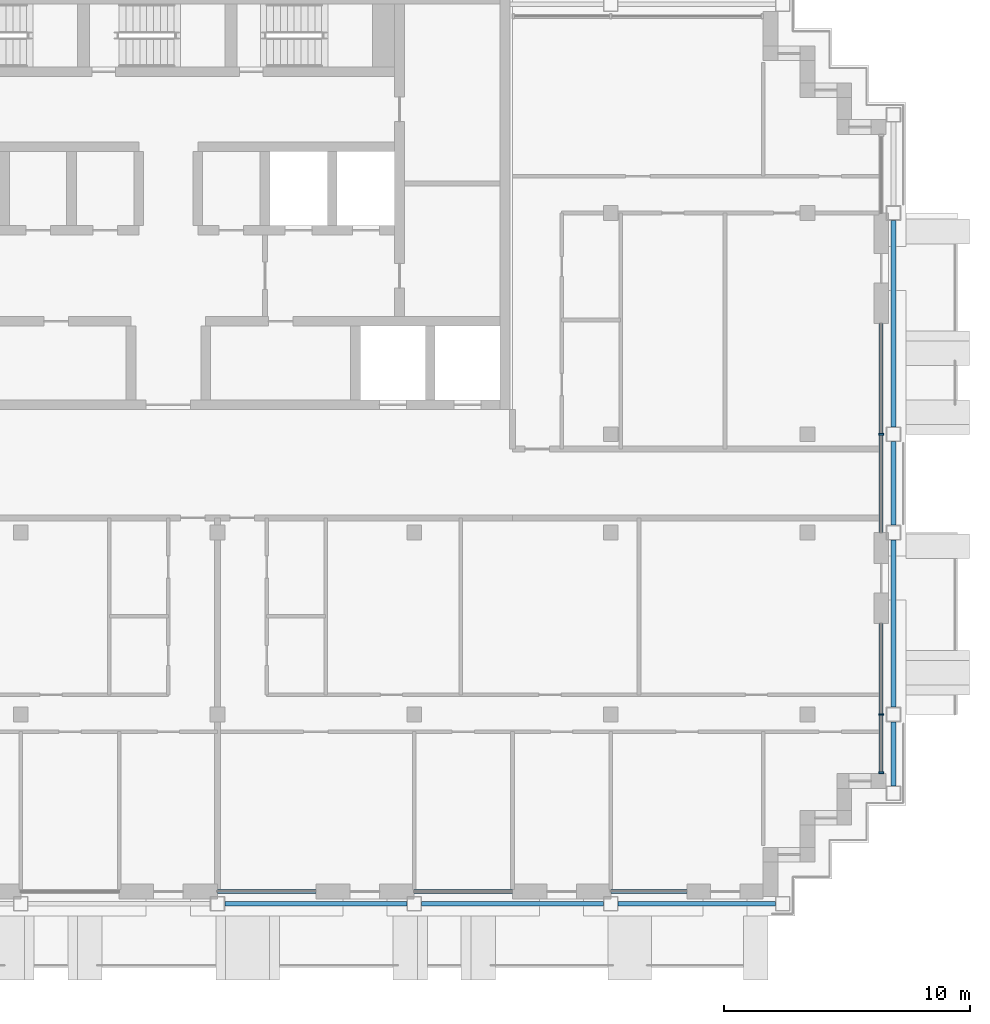
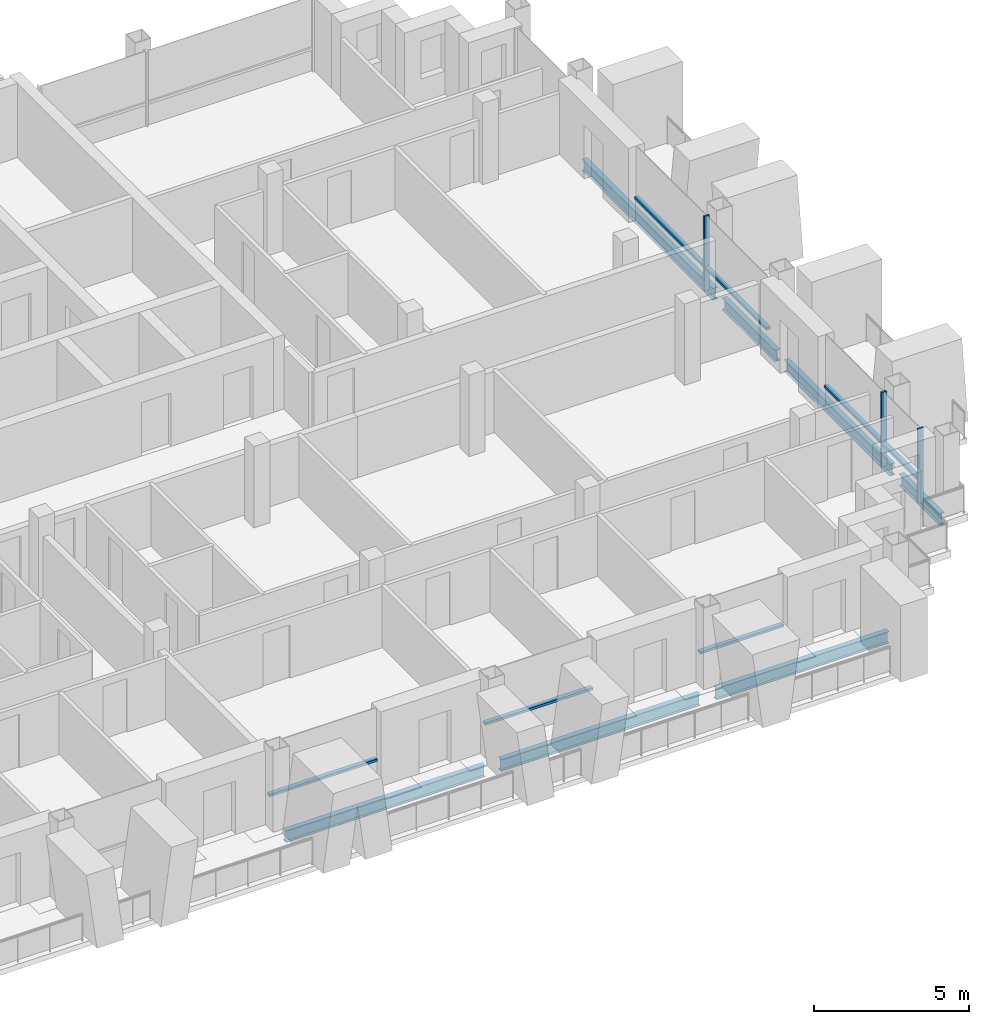
# One storey, part 3 of 15: 10 members, 7 beams, 5 elements without a shape of their own.
"""IFC4 building model written with IfcOpenShell, lengths in metres."""

from ifc_helpers import new_model, si_unit, direction, frame, origin, origin_2d, place, context, subcontext, project, spatial, rectangle, i_section, extrude, material, material_profile, profile_set, type_object, element, aggregate, save


model = new_model("IFC4")

# Units and contexts
model_context = context("Model", 3, precision=1e-05, world=origin(), true_north=direction((0.0, 1.0)))
body_context = subcontext(model_context, "Body", "Model", "MODEL_VIEW")
ifc_project = project(units=[si_unit("LENGTHUNIT", "METRE"), si_unit("AREAUNIT", "SQUARE_METRE"), si_unit("VOLUMEUNIT", "CUBIC_METRE"), si_unit("PLANEANGLEUNIT", "RADIAN"), si_unit("MASSUNIT", "GRAM", prefix="KILO")], contexts=[model_context])

# Site, building, storey
site_placement = place(None, origin())
site = spatial("IfcSite", under=ifc_project, at=site_placement, CompositionType="ELEMENT")
building_placement = place(site_placement, origin())
building = spatial("IfcBuilding", under=site, at=building_placement, Name="Vidyagriha Tower", CompositionType="ELEMENT")
storey_placement = place(building_placement, frame((0.0, 0.0, 233.199951171875)))
storey = spatial("IfcBuildingStorey", under=building, at=storey_placement, Name="L61", CompositionType="ELEMENT", Elevation=233.199951171875)

# Beams
ifc_material_1 = material(Name="Steel ASTM A992 Grade 50", Category="steel")
ifc_material_profile_1 = material_profile(ifc_material_1, i_section(OverallWidth=0.19189453125, OverallDepth=0.46240234375, WebThickness=0.010498046875, FlangeThickness=0.017578125, at=origin_2d()), Name="W18X60")
ifc_profile_set_1 = profile_set([ifc_material_profile_1], Name="Steel ASTM A992 Grade 50")
beam_type = type_object("IfcBeamType", Name="Edge beam W18X60", PredefinedType="SPANDREL", material=ifc_profile_set_1)
for number, where, z_axis, x_axis, name in (
    (1, (2.300048828125, -17.10009765625, -0.510986328125), (1.0, 0.0, 0.0), (0.0, 1.0, 0.0), "st-beam-L61-S05"),
    (2, (10.300048828125, -17.10009765625, -0.510986328125), (1.0, 0.0, 0.0), (0.0, 1.0, 0.0), "st-beam-L61-S06"),
):
    element("IfcBeam", number, at=place(storey_placement, frame(where, z_axis=z_axis, x_axis=x_axis)), inside=storey, type_object=beam_type, Name=name, PredefinedType="SPANDREL", context=body_context, shape_type="SweptSolid", body=[
        extrude(i_section(OverallWidth=0.19189453125, OverallDepth=0.46240234375, WebThickness=0.010498046875, FlangeThickness=0.017578125, at=origin_2d()), origin(), (0.0, 0.0, 1.0), 7.39990234375),
    ])
beam_1_placement = place(storey_placement, frame((18.300048828125, -17.10009765625, -0.510986328125), z_axis=(1.0, 0.0, 0.0), x_axis=(0.0, 1.0, 0.0)))
element("IfcBeam", 3, at=beam_1_placement, inside=storey, type_object=beam_type, Name="st-beam-L61-S07", PredefinedType="SPANDREL", context=body_context, shape_type="SweptSolid", body=[
    extrude(i_section(OverallWidth=0.19189453125, OverallDepth=0.46240234375, WebThickness=0.010498046875, FlangeThickness=0.017578125, at=origin_2d()), origin(), (0.0, 0.0, 1.0), 6.39990234375),
])
beam_2_placement = place(storey_placement, frame((29.5, -12.300048828125, -0.510986328125), z_axis=(0.0, 1.0, 0.0), x_axis=(-1.0, 0.0, 0.0)))
element("IfcBeam", 4, at=beam_2_placement, inside=storey, type_object=beam_type, Name="st-beam-L61-E13", PredefinedType="SPANDREL", context=body_context, shape_type="SweptSolid", body=[
    extrude(i_section(OverallWidth=0.19189453125, OverallDepth=0.46240234375, WebThickness=0.010498046875, FlangeThickness=0.017578125, at=origin_2d()), origin(), (0.0, 0.0, 1.0), 2.60009765625),
])
beam_3_placement = place(storey_placement, frame((29.5, -9.10009765625, -0.510986328125), z_axis=(0.0, 1.0, 0.0), x_axis=(-1.0, 0.0, 0.0)))
element("IfcBeam", 5, at=beam_3_placement, inside=storey, type_object=beam_type, Name="st-beam-L61-E14", PredefinedType="SPANDREL", context=body_context, shape_type="SweptSolid", body=[
    extrude(i_section(OverallWidth=0.19189453125, OverallDepth=0.46240234375, WebThickness=0.010498046875, FlangeThickness=0.017578125, at=origin_2d()), origin(), (0.0, 0.0, 1.0), 6.800048828125),
])
beam_4_placement = place(storey_placement, frame((29.5, -1.699951171875, -0.510986328125), z_axis=(0.0, 1.0, 0.0), x_axis=(-1.0, 0.0, 0.0)))
element("IfcBeam", 6, at=beam_4_placement, inside=storey, type_object=beam_type, Name="st-beam-L61-E15", PredefinedType="SPANDREL", context=body_context, shape_type="SweptSolid", body=[
    extrude(i_section(OverallWidth=0.19189453125, OverallDepth=0.46240234375, WebThickness=0.010498046875, FlangeThickness=0.017578125, at=origin_2d()), origin(), (0.0, 0.0, 1.0), 3.39990234375),
])
beam_5_placement = place(storey_placement, frame((29.5, 2.300048828125, -0.510986328125), z_axis=(0.0, 1.0, 0.0), x_axis=(-1.0, 0.0, 0.0)))
element("IfcBeam", 7, at=beam_5_placement, inside=storey, type_object=beam_type, Name="st-beam-L61-E16", PredefinedType="SPANDREL", context=body_context, shape_type="SweptSolid", body=[
    extrude(i_section(OverallWidth=0.19189453125, OverallDepth=0.46240234375, WebThickness=0.010498046875, FlangeThickness=0.017578125, at=origin_2d()), origin(), (0.0, 0.0, 1.0), 8.39990234375),
])

# Curtain wall, members
ifc_material_2 = material(Name="Aluminium and glass curtain wall", Category="aluminium")
curtain_wall_type = type_object("IfcCurtainWallType", Name="Dwelling skin unitised curtain wall", PredefinedType="USERDEFINED", material=ifc_material_2)
curtain_wall_1_placement = place(storey_placement, origin())
curtain_wall_1 = element("IfcCurtainWall", 8, at=curtain_wall_1_placement, inside=storey, type_object=curtain_wall_type, Name="CW1 dwelling skin", ObjectType="UNITISED", PredefinedType="USERDEFINED")
ifc_material_3 = material(Name="Aluminium black anodised", Category="aluminium")
ifc_material_profile_2 = material_profile(ifc_material_3, rectangle(XDim=0.199951171875, YDim=0.070068359375, at=origin_2d()), Name="Mullion 70x200 black aluminium")
ifc_profile_set_2 = profile_set([ifc_material_profile_2], Name="Aluminium black anodised")
member_type_1 = type_object("IfcMemberType", Name="Mullion 70x200 black aluminium", PredefinedType="MULLION", material=ifc_profile_set_2)
member_1_placement = place(storey_placement, frame((29.0, -11.764892578125, 0.0), z_axis=(0.0, 0.0, 1.0), x_axis=(-1.0, 0.0, 0.0)))
member_1 = element("IfcMember", 9, at=member_1_placement, type_object=member_type_1, Name="CW1 mullion 1", PredefinedType="MULLION", context=body_context, shape_type="SweptSolid", body=[
    extrude(rectangle(XDim=0.199951171875, YDim=0.070068359375, at=origin_2d()), origin(), (0.0, 0.0, 1.0), 2.920166015625),
])
member_2_placement = place(storey_placement, frame((29.0, -9.39990234375, 0.0), z_axis=(0.0, 0.0, 1.0), x_axis=(-1.0, 0.0, 0.0)))
member_2 = element("IfcMember", 10, at=member_2_placement, type_object=member_type_1, Name="CW1 mullion 2", PredefinedType="MULLION", context=body_context, shape_type="SweptSolid", body=[
    extrude(rectangle(XDim=0.199951171875, YDim=0.070068359375, at=origin_2d()), origin(), (0.0, 0.0, 1.0), 2.920166015625),
])

# Curtain wall, member
curtain_wall_2_placement = place(storey_placement, origin())
curtain_wall_2 = element("IfcCurtainWall", 11, at=curtain_wall_2_placement, inside=storey, type_object=curtain_wall_type, Name="CW1 dwelling skin", ObjectType="UNITISED", PredefinedType="USERDEFINED")
member_3_placement = place(storey_placement, frame((29.0, 2.0, 0.0), z_axis=(0.0, 0.0, 1.0), x_axis=(-1.0, 0.0, 0.0)))
member_3 = element("IfcMember", 12, at=member_3_placement, type_object=member_type_1, Name="CW1 mullion 2", PredefinedType="MULLION", context=body_context, shape_type="SweptSolid", body=[
    extrude(rectangle(XDim=0.199951171875, YDim=0.070068359375, at=origin_2d()), origin(), (0.0, 0.0, 1.0), 2.920166015625),
])

curtain_wall_3_placement = place(storey_placement, origin())
curtain_wall_3 = element("IfcCurtainWall", 13, at=curtain_wall_3_placement, inside=storey, type_object=curtain_wall_type, Name="CW1 dwelling skin", ObjectType="UNITISED", PredefinedType="USERDEFINED")
ifc_material_4 = material(Name="Aluminium black anodised", Category="aluminium")
ifc_material_profile_3 = material_profile(ifc_material_4, rectangle(XDim=0.159912109375, YDim=0.10009765625, at=origin_2d()), Name="Transom 100x160 black aluminium")
ifc_profile_set_3 = profile_set([ifc_material_profile_3], Name="Aluminium black anodised")
member_type_2 = type_object("IfcMemberType", Name="Transom 100x160 black aluminium", PredefinedType="USERDEFINED", material=ifc_profile_set_3)
member_4_placement = place(storey_placement, frame((2.0, -16.60009765625, 0.900146484375), z_axis=(1.0, 0.0, 0.0), x_axis=(0.0, 1.0, 0.0)))
member_4 = element("IfcMember", 14, at=member_4_placement, type_object=member_type_2, Name="CW1 transom 1.1", ObjectType="TRANSOM", PredefinedType="USERDEFINED", context=body_context, shape_type="SweptSolid", body=[
    extrude(rectangle(XDim=0.159912109375, YDim=0.10009765625, at=origin_2d()), origin(), (0.0, 0.0, 1.0), 4.0),
])
aggregate(curtain_wall_3, [member_4])

curtain_wall_4_placement = place(storey_placement, origin())
curtain_wall_4 = element("IfcCurtainWall", 15, at=curtain_wall_4_placement, inside=storey, type_object=curtain_wall_type, Name="CW1 dwelling skin", ObjectType="UNITISED", PredefinedType="USERDEFINED")
member_5_placement = place(storey_placement, frame((10.0, -16.60009765625, 0.900146484375), z_axis=(1.0, 0.0, 0.0), x_axis=(0.0, 1.0, 0.0)))
member_5 = element("IfcMember", 16, at=member_5_placement, type_object=member_type_2, Name="CW1 transom 1.1", ObjectType="TRANSOM", PredefinedType="USERDEFINED", context=body_context, shape_type="SweptSolid", body=[
    extrude(rectangle(XDim=0.159912109375, YDim=0.10009765625, at=origin_2d()), origin(), (0.0, 0.0, 1.0), 4.0),
])
aggregate(curtain_wall_4, [member_5])

curtain_wall_5_placement = place(storey_placement, origin())
curtain_wall_5 = element("IfcCurtainWall", 17, at=curtain_wall_5_placement, inside=storey, type_object=curtain_wall_type, Name="CW1 dwelling skin", ObjectType="UNITISED", PredefinedType="USERDEFINED")
member_6_placement = place(storey_placement, frame((18.0, -16.60009765625, 0.900146484375), z_axis=(1.0, 0.0, 0.0), x_axis=(0.0, 1.0, 0.0)))
member_6 = element("IfcMember", 18, at=member_6_placement, type_object=member_type_2, Name="CW1 transom 1.1", ObjectType="TRANSOM", PredefinedType="USERDEFINED", context=body_context, shape_type="SweptSolid", body=[
    extrude(rectangle(XDim=0.159912109375, YDim=0.10009765625, at=origin_2d()), origin(), (0.0, 0.0, 1.0), 3.10009765625),
])
aggregate(curtain_wall_5, [member_6])

# Member
member_7_placement = place(storey_placement, frame((29.0, -11.72998046875, 0.900146484375), z_axis=(0.0, 1.0, 0.0), x_axis=(-1.0, 0.0, 0.0)))
member_7 = element("IfcMember", 19, at=member_7_placement, type_object=member_type_2, Name="CW1 transom 1.1", ObjectType="TRANSOM", PredefinedType="USERDEFINED", context=body_context, shape_type="SweptSolid", body=[
    extrude(rectangle(XDim=0.159912109375, YDim=0.10009765625, at=origin_2d()), origin(), (0.0, 0.0, 1.0), 2.294921875),
])

member_8_placement = place(storey_placement, frame((29.0, -9.364990234375, 0.900146484375), z_axis=(0.0, 1.0, 0.0), x_axis=(-1.0, 0.0, 0.0)))
member_8 = element("IfcMember", 20, at=member_8_placement, type_object=member_type_2, Name="CW1 transom 2.1", ObjectType="TRANSOM", PredefinedType="USERDEFINED", context=body_context, shape_type="SweptSolid", body=[
    extrude(rectangle(XDim=0.159912109375, YDim=0.10009765625, at=origin_2d()), origin(), (0.0, 0.0, 1.0), 3.6650390625),
])

aggregate(curtain_wall_1, [member_1, member_2, member_7, member_8])

member_9_placement = place(storey_placement, frame((29.0, -2.0, 0.900146484375), z_axis=(0.0, 1.0, 0.0), x_axis=(-1.0, 0.0, 0.0)))
member_9 = element("IfcMember", 21, at=member_9_placement, type_object=member_type_2, Name="CW1 transom 1.1", ObjectType="TRANSOM", PredefinedType="USERDEFINED", context=body_context, shape_type="SweptSolid", body=[
    extrude(rectangle(XDim=0.159912109375, YDim=0.10009765625, at=origin_2d()), origin(), (0.0, 0.0, 1.0), 3.965087890625),
])

member_10_placement = place(storey_placement, frame((29.0, 2.034912109375, 0.900146484375), z_axis=(0.0, 1.0, 0.0), x_axis=(-1.0, 0.0, 0.0)))
member_10 = element("IfcMember", 22, at=member_10_placement, type_object=member_type_2, Name="CW1 transom 2.1", ObjectType="TRANSOM", PredefinedType="USERDEFINED", context=body_context, shape_type="SweptSolid", body=[
    extrude(rectangle(XDim=0.159912109375, YDim=0.10009765625, at=origin_2d()), origin(), (0.0, 0.0, 1.0), 4.465087890625),
])

aggregate(curtain_wall_2, [member_3, member_9, member_10])

save(model, "model.ifc")
